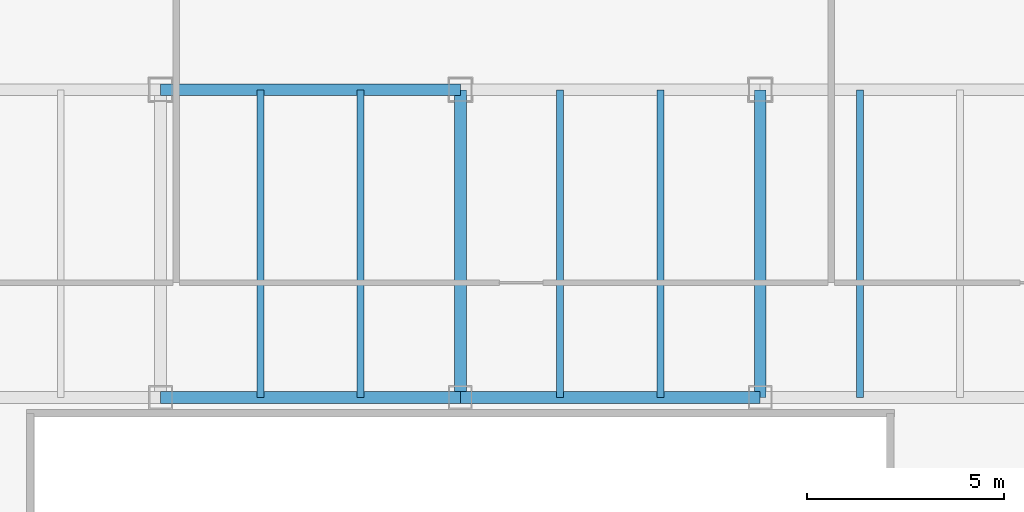
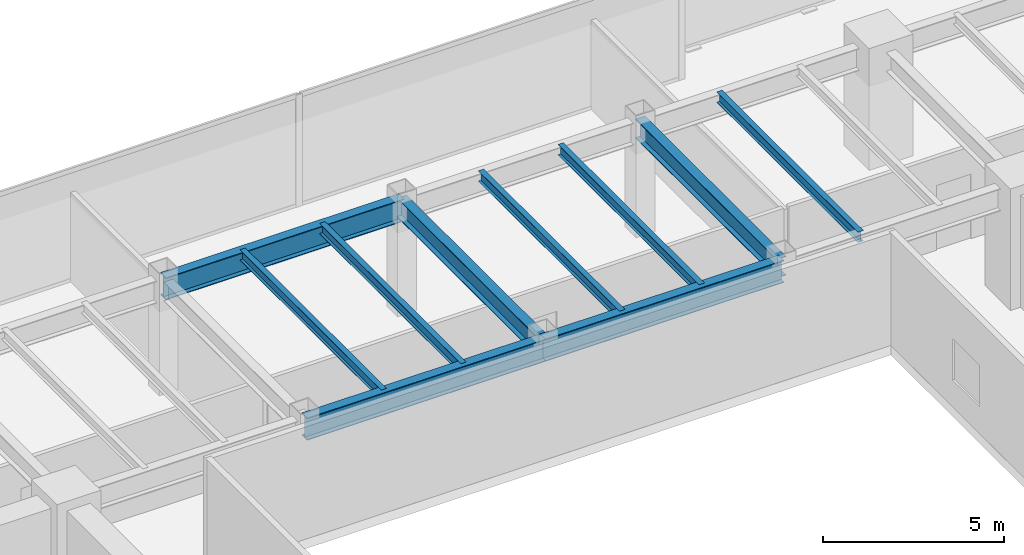
# One storey, part 17 of 37: 10 beams.
"""IFC4 building model written with IfcOpenShell, lengths in metres."""

import ifcopenshell
import ifcopenshell.guid

model = None  # the IFC model being written
_history = None  # IfcOwnerHistory: only IFC2X3 demands one
_inside = {}  # id of a spatial element -> (the spatial element, [elements in it])
_under = {}  # id of a project, library or spatial element -> (it, [spatial elements below it])
_declared = {}  # id of a project -> (the project, [libraries it declares])
_typed = {}  # id of a type object -> (the type object, [elements of that type])
_made_of = {}  # id of a material, layer set ... -> (it, [elements and type objects made of it])


def new_model(schema):
    """Start an empty IFC model of exactly this schema.

    Asked for "IFC4X3", IfcOpenShell would pick the latest addendum, in which some entities
    have other attributes; the version numbers below select the first issue.
    IFC2X3 requires an IfcOwnerHistory on every rooted entity: one is made here for all.
    """
    global model, _history
    if schema == "IFC4X3":
        model = ifcopenshell.file(schema_version=(4, 3, 0, 0))
    else:
        model = ifcopenshell.file(schema=schema)
    _inside.clear()
    _under.clear()
    _declared.clear()
    _typed.clear()
    _made_of.clear()
    _history = None
    if model.schema == "IFC2X3":
        org = make("IfcOrganization", Name="unknown")
        user = make(
            "IfcPersonAndOrganization",
            ThePerson=make("IfcPerson", FamilyName="unknown"),
            TheOrganization=org,
        )
        app = make(
            "IfcApplication",
            ApplicationDeveloper=org,
            Version="unknown",
            ApplicationFullName="unknown",
            ApplicationIdentifier="unknown",
        )
        _history = make(
            "IfcOwnerHistory",
            OwningUser=user,
            OwningApplication=app,
            ChangeAction="ADDED",
            CreationDate=0,
        )
    return model


def make(cls, **values):
    """One entity of the class cls with the attributes given. An attribute that is None is left unset."""
    return model.create_entity(
        cls, **{name: value for name, value in values.items() if value is not None}
    )


def rooted(cls, **values):
    """An entity with a GlobalId (a new one), such as an element, a storey or a relation."""
    return make(cls, GlobalId=ifcopenshell.guid.new(), OwnerHistory=_history, **values)


def si_unit(unit_type, name, prefix=None):
    """IfcSIUnit, for example si_unit("LENGTHUNIT", "METRE", prefix="MILLI")."""
    return make("IfcSIUnit", UnitType=unit_type, Prefix=prefix, Name=name)


def assignment(units):
    """IfcUnitAssignment: the units of a project."""
    return None if units is None else make("IfcUnitAssignment", Units=units)


def point(xyz):
    """IfcCartesianPoint."""
    return None if xyz is None else make("IfcCartesianPoint", Coordinates=xyz)


def direction(xyz):
    """IfcDirection."""
    return None if xyz is None else make("IfcDirection", DirectionRatios=xyz)


def frame(location, z_axis=None, x_axis=None):
    """IfcAxis2Placement3D, a coordinate frame: its origin and axes. An axis left out is left unset."""
    return make(
        "IfcAxis2Placement3D",
        Location=point(location),
        Axis=direction(z_axis),
        RefDirection=direction(x_axis),
    )


def frame_2d(location, x_axis=None):
    """IfcAxis2Placement2D, a coordinate frame in the plane: its origin and x axis."""
    return make(
        "IfcAxis2Placement2D", Location=point(location), RefDirection=direction(x_axis)
    )


def origin():
    """The frame at (0, 0, 0) with its axes left unset."""
    return frame((0.0, 0.0, 0.0))


def origin_2d():
    """The frame at (0, 0) in the plane with its x axis left unset."""
    return frame_2d((0.0, 0.0))


def place(relative_to, where):
    """IfcLocalPlacement: puts the frame where relative to a parent placement (None: the world)."""
    return make(
        "IfcLocalPlacement", PlacementRelTo=relative_to, RelativePlacement=where
    )


def context(
    kind, dimensions, precision=None, world=None, true_north=None, identifier=None
):
    """IfcGeometricRepresentationContext, for example the 3D "Model" context."""
    return make(
        "IfcGeometricRepresentationContext",
        ContextIdentifier=identifier,
        ContextType=kind,
        CoordinateSpaceDimension=dimensions,
        Precision=precision,
        WorldCoordinateSystem=world,
        TrueNorth=true_north,
    )


def subcontext(parent, identifier, kind, view, scale=None):
    """IfcGeometricRepresentationSubContext, for example "Body" below "Model"."""
    return make(
        "IfcGeometricRepresentationSubContext",
        ContextIdentifier=identifier,
        ContextType=kind,
        ParentContext=parent,
        TargetScale=scale,
        TargetView=view,
    )


def project(units=None, contexts=None):
    """IfcProject with its units and contexts."""
    return rooted(
        "IfcProject",
        Name="project",
        RepresentationContexts=contexts,
        UnitsInContext=assignment(units),
    )


def spatial(cls, under=None, at=None, **own):
    """A site, building, storey or space (cls), placed at a placement, below another one or the project."""
    s = rooted(cls, ObjectPlacement=at, **own)
    if under is not None:
        _under.setdefault(under.id(), (under, []))[1].append(s)
    return s


def profile(cls, at=None, kind="AREA", **sizes):
    """A parametric profile (cls). Its sizes go by their IFC names, for example OverallWidth=200.0."""
    return make(cls, ProfileType=kind, Position=at, **sizes)


def i_section(**sizes):
    """IfcIShapeProfileDef."""
    return profile("IfcIShapeProfileDef", **sizes)


def extrude(swept, where, along, depth):
    """IfcExtrudedAreaSolid: the profile swept, set in the frame where, extruded along a direction by depth."""
    return make(
        "IfcExtrudedAreaSolid",
        SweptArea=swept,
        Position=where,
        ExtrudedDirection=direction(along),
        Depth=depth,
    )


def shape(context_of_items, identifier, shape_type, items):
    """IfcShapeRepresentation: the items that make up one representation, for example the "Body"."""
    return make(
        "IfcShapeRepresentation",
        ContextOfItems=context_of_items,
        RepresentationIdentifier=identifier,
        RepresentationType=shape_type,
        Items=items,
    )


def source(mapping_origin, context_of_items, identifier, shape_type, items):
    """IfcRepresentationMap: a shape defined once, which mapped items show again and again."""
    return make(
        "IfcRepresentationMap",
        MappingOrigin=mapping_origin,
        MappedRepresentation=shape(context_of_items, identifier, shape_type, items),
    )


def transform(
    local_origin,
    x_axis=None,
    y_axis=None,
    z_axis=None,
    scale=None,
    scale2=None,
    scale3=None,
    uniform=True,
):
    """IfcCartesianTransformationOperator3D, or its non-uniform kind. x_axis, y_axis, z_axis: its Axis1, 2, 3."""
    if uniform:
        return make(
            "IfcCartesianTransformationOperator3D",
            Axis1=direction(x_axis),
            Axis2=direction(y_axis),
            LocalOrigin=point(local_origin),
            Scale=scale,
            Axis3=direction(z_axis),
        )
    return make(
        "IfcCartesianTransformationOperator3DnonUniform",
        Axis1=direction(x_axis),
        Axis2=direction(y_axis),
        LocalOrigin=point(local_origin),
        Scale=scale,
        Axis3=direction(z_axis),
        Scale2=scale2,
        Scale3=scale3,
    )


def mapped(mapping_source, mapping_target):
    """IfcMappedItem: shows the shape of a source again, moved by a transform."""
    return make(
        "IfcMappedItem", MappingSource=mapping_source, MappingTarget=mapping_target
    )


def material(Name=None, Category=None):
    """IfcMaterial."""
    return make("IfcMaterial", Name=Name, Category=Category)


def material_profile(
    of_material, cross_section, Name=None, Category=None, Priority=None
):
    """IfcMaterialProfile: a cross section and its material."""
    return make(
        "IfcMaterialProfile",
        Name=Name,
        Material=of_material,
        Profile=cross_section,
        Priority=Priority,
        Category=Category,
    )


def profile_set(profiles, Name=None, composite=None):
    """IfcMaterialProfileSet."""
    return make(
        "IfcMaterialProfileSet",
        Name=Name,
        MaterialProfiles=profiles,
        CompositeProfile=composite,
    )


def made_of(thing, what):
    """Note that an element or type object is made of a material, layer set ...; save() writes the relation."""
    if what is not None:
        _made_of.setdefault(what.id(), (what, []))[1].append(thing)
    return thing


def type_object(cls, material=None, **own):
    """A type object (cls), such as IfcWallType, which elements share."""
    return made_of(rooted(cls, **own), material)


def type_shapes(of_type, sources):
    """Give a type object the sources (RepresentationMaps) that its elements show as mapped items."""
    of_type.RepresentationMaps = sources


def element(
    cls,
    number,
    at=None,
    inside=None,
    cuts=None,
    type_object=None,
    material=None,
    context=None,
    identifier="Body",
    shape_type=None,
    held_by="IfcProductDefinitionShape",
    body=None,
    shapes=None,
    **own,
):
    """One element of the class cls, such as IfcWall. Its Tag is "e" and its number.

    at: its placement. inside: the storey or other place that contains it. cuts: it is an
    opening in that element (IfcRelVoidsElement). A single representation is given by context,
    identifier, shape_type and body (its items); several are given by shapes. held_by: the class
    of the entity that holds the representations. save() writes the other relations.
    """
    e = rooted(cls, Tag="e%d" % number, ObjectPlacement=at, **own)
    if body is not None:
        shapes = [shape(context, identifier, shape_type, body)]
    if shapes is not None:
        e.Representation = make(held_by, Representations=shapes)
    if inside is not None:
        _inside.setdefault(inside.id(), (inside, []))[1].append(e)
    if cuts is not None:
        rooted(
            "IfcRelVoidsElement", RelatingBuildingElement=cuts, RelatedOpeningElement=e
        )
    if type_object is not None:
        _typed.setdefault(type_object.id(), (type_object, []))[1].append(e)
    return made_of(e, material)


def aggregate(whole, parts):
    """IfcRelAggregates: a whole, such as a stair, and the parts it consists of."""
    return rooted("IfcRelAggregates", RelatingObject=whole, RelatedObjects=parts)


def save(model, path):
    """Write the relations noted so far, then the file.

    IfcRelAggregates (storeys below a building ...), IfcRelContainedInSpatialStructure (elements
    in a storey), IfcRelDefinesByType, IfcRelAssociatesMaterial and IfcRelDeclares: one each for
    every whole, place, type object, material and project.
    """
    for whole, parts in _under.values():
        aggregate(whole, parts)
    for where, things in _inside.values():
        rooted(
            "IfcRelContainedInSpatialStructure",
            RelatedElements=things,
            RelatingStructure=where,
        )
    for kind, things in _typed.values():
        rooted("IfcRelDefinesByType", RelatedObjects=things, RelatingType=kind)
    for what, things in _made_of.values():
        rooted("IfcRelAssociatesMaterial", RelatedObjects=things, RelatingMaterial=what)
    for by, libraries in _declared.values():
        rooted("IfcRelDeclares", RelatingContext=by, RelatedDefinitions=libraries)
    model.write(path)


model = new_model("IFC4")

# Units and contexts
model_context = context("Model", 3, precision=1e-05, world=origin(), true_north=direction((0.0, 1.0)))
body_context = subcontext(model_context, "Body", "Model", "MODEL_VIEW")
ifc_project = project(units=[si_unit("LENGTHUNIT", "METRE"), si_unit("AREAUNIT", "SQUARE_METRE"), si_unit("VOLUMEUNIT", "CUBIC_METRE"), si_unit("PLANEANGLEUNIT", "RADIAN"), si_unit("MASSUNIT", "GRAM", prefix="KILO")], contexts=[model_context])

# Site, building, storey
site_placement = place(None, origin())
site = spatial("IfcSite", under=ifc_project, at=site_placement, CompositionType="ELEMENT")
building_placement = place(site_placement, origin())
building = spatial("IfcBuilding", under=site, at=building_placement, Name="Haelvirn Gate Laboratories", CompositionType="ELEMENT")
storey_placement = place(building_placement, frame((0.0, 0.0, 74.39990234375)))
storey = spatial("IfcBuildingStorey", under=building, at=storey_placement, Name="L18", CompositionType="ELEMENT", Elevation=74.39990234375)

# Beams
ifc_material = material(Name="Steel SM355", Category="steel")
ifc_material_profile_1 = material_profile(ifc_material, i_section(OverallWidth=0.300048828125, OverallDepth=0.75, WebThickness=0.013916015625, FlangeThickness=0.02392578125, at=origin_2d()), Name="H-750x300x14x24")
ifc_profile_set_1 = profile_set([ifc_material_profile_1], Name="Steel SM355")
beam_type_1 = type_object("IfcBeamType", Name="BM-G-750", PredefinedType="BEAM", material=ifc_profile_set_1)
shared_shape_1 = source(origin(), body_context, "Body", "SweptSolid", [
    extrude(i_section(OverallWidth=0.300048828125, OverallDepth=0.75, WebThickness=0.013916015625, FlangeThickness=0.02392578125, at=origin_2d()), origin(), (0.0, 0.0, 1.0), 7.60009765625),
])
beam_placement = place(storey_placement, frame((37.39990234375, 33.800048828125, 3.405029296875), z_axis=(1.0, 0.0, 0.0), x_axis=(0.0, 1.0, 0.0)))
element("IfcBeam", 1, at=beam_placement, inside=storey, type_object=beam_type_1, Name="L18 Primary Girder Y33.8 (37.4-45.0)", PredefinedType="BEAM", context=body_context, shape_type="MappedRepresentation", body=[
    mapped(shared_shape_1, transform((0.0, 0.0, 0.0), scale=1.0)),
])
shared_shape_2 = source(origin(), body_context, "Body", "SweptSolid", [
    extrude(i_section(OverallWidth=0.300048828125, OverallDepth=0.75, WebThickness=0.013916015625, FlangeThickness=0.02392578125, at=origin_2d()), origin(), (0.0, 0.0, 1.0), 7.599853515625),
])
type_shapes(beam_type_1, [shared_shape_1, shared_shape_2])
for number, where, z_axis, x_axis, name in (
    (2, (29.800048828125, 33.800048828125, 3.405029296875), (1.0, 0.0, 0.0), (0.0, 1.0, 0.0), "L18 Primary Girder Y33.8 (29.8-37.4)"),
    (3, (29.800048828125, 41.60009765625, 3.405029296875), (1.0, 0.0, 0.0), (0.0, 1.0, 0.0), "L18 Primary Girder Y41.6 (29.8-37.4)"),
):
    element("IfcBeam", number, at=place(storey_placement, frame(where, z_axis=z_axis, x_axis=x_axis)), inside=storey, type_object=beam_type_1, Name=name, PredefinedType="BEAM", context=body_context, shape_type="MappedRepresentation", body=[
        mapped(shared_shape_2, transform((0.0, 0.0, 0.0), scale=1.0)),
    ])
ifc_material_profile_2 = material_profile(ifc_material, i_section(OverallWidth=0.175048828125, OverallDepth=0.35009765625, WebThickness=0.007080078125, FlangeThickness=0.010986328125, at=origin_2d()), Name="H-350x175x7x11")
ifc_profile_set_2 = profile_set([ifc_material_profile_2], Name="Steel SM355")
beam_type_2 = type_object("IfcBeamType", Name="BM-J-350", PredefinedType="JOIST", material=ifc_profile_set_2)
shared_shape_3 = source(origin(), body_context, "Body", "SweptSolid", [
    extrude(i_section(OverallWidth=0.175048828125, OverallDepth=0.35009765625, WebThickness=0.007080078125, FlangeThickness=0.010986328125, at=origin_2d()), origin(), (0.0, 0.0, 1.0), 7.800048828125),
])
type_shapes(beam_type_2, [shared_shape_3])
for number, where, z_axis, x_axis, name in (
    (4, (32.330078125, 33.800048828125, 3.60498046875), (0.0, 1.0, 0.0), (-1.0, 0.0, 0.0), "L18 Composite Lab Joist North X32.33"),
    (5, (34.8701171875, 33.800048828125, 3.60498046875), (0.0, 1.0, 0.0), (-1.0, 0.0, 0.0), "L18 Composite Lab Joist North X34.87"),
    (6, (39.929931640625, 33.800048828125, 3.60498046875), (0.0, 1.0, 0.0), (-1.0, 0.0, 0.0), "L18 Composite Lab Joist North X39.93"),
    (7, (42.469970703125, 33.800048828125, 3.60498046875), (0.0, 1.0, 0.0), (-1.0, 0.0, 0.0), "L18 Composite Lab Joist North X42.47"),
    (8, (47.530029296875, 33.800048828125, 3.60498046875), (0.0, 1.0, 0.0), (-1.0, 0.0, 0.0), "L18 Composite Lab Joist North X47.53"),
):
    element("IfcBeam", number, at=place(storey_placement, frame(where, z_axis=z_axis, x_axis=x_axis)), inside=storey, type_object=beam_type_2, Name=name, PredefinedType="JOIST", context=body_context, shape_type="MappedRepresentation", body=[
        mapped(shared_shape_3, transform((0.0, 0.0, 0.0), scale=1.0)),
    ])
ifc_material_profile_3 = material_profile(ifc_material, i_section(OverallWidth=0.300048828125, OverallDepth=0.64990234375, WebThickness=0.012939453125, FlangeThickness=0.02197265625, at=origin_2d()), Name="H-650x300x13x22")
ifc_profile_set_3 = profile_set([ifc_material_profile_3], Name="Steel SM355")
beam_type_3 = type_object("IfcBeamType", Name="BM-G-650", PredefinedType="BEAM", material=ifc_profile_set_3)
shared_shape_4 = source(origin(), body_context, "Body", "SweptSolid", [
    extrude(i_section(OverallWidth=0.300048828125, OverallDepth=0.64990234375, WebThickness=0.012939453125, FlangeThickness=0.02197265625, at=origin_2d()), origin(), (0.0, 0.0, 1.0), 7.800048828125),
])
type_shapes(beam_type_3, [shared_shape_4])
for number, where, z_axis, x_axis, name in (
    (9, (37.39990234375, 33.800048828125, 3.455078125), (0.0, 1.0, 0.0), (-1.0, 0.0, 0.0), "L18 Frame Girder X37.4 (33.8-41.6)"),
    (10, (45.0, 33.800048828125, 3.455078125), (0.0, 1.0, 0.0), (-1.0, 0.0, 0.0), "L18 Frame Girder X45.0 (33.8-41.6)"),
):
    element("IfcBeam", number, at=place(storey_placement, frame(where, z_axis=z_axis, x_axis=x_axis)), inside=storey, type_object=beam_type_3, Name=name, PredefinedType="BEAM", context=body_context, shape_type="MappedRepresentation", body=[
        mapped(shared_shape_4, transform((0.0, 0.0, 0.0), scale=1.0)),
    ])

save(model, "model.ifc")
